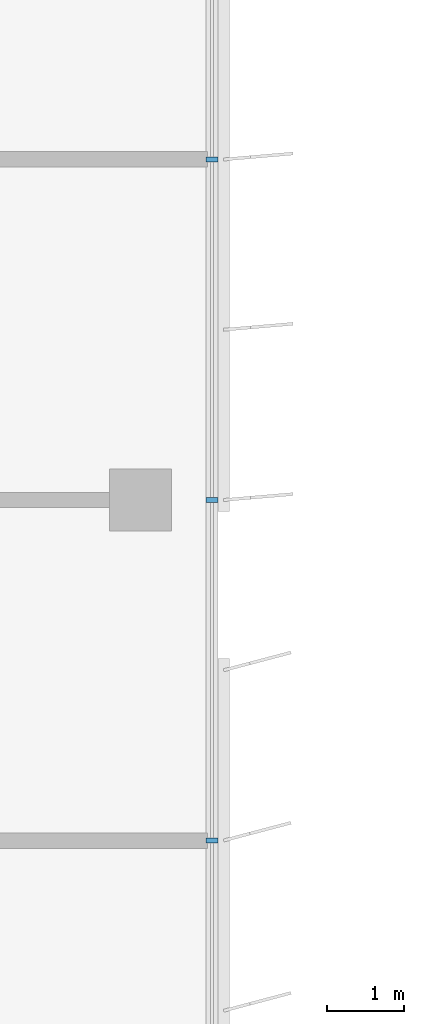
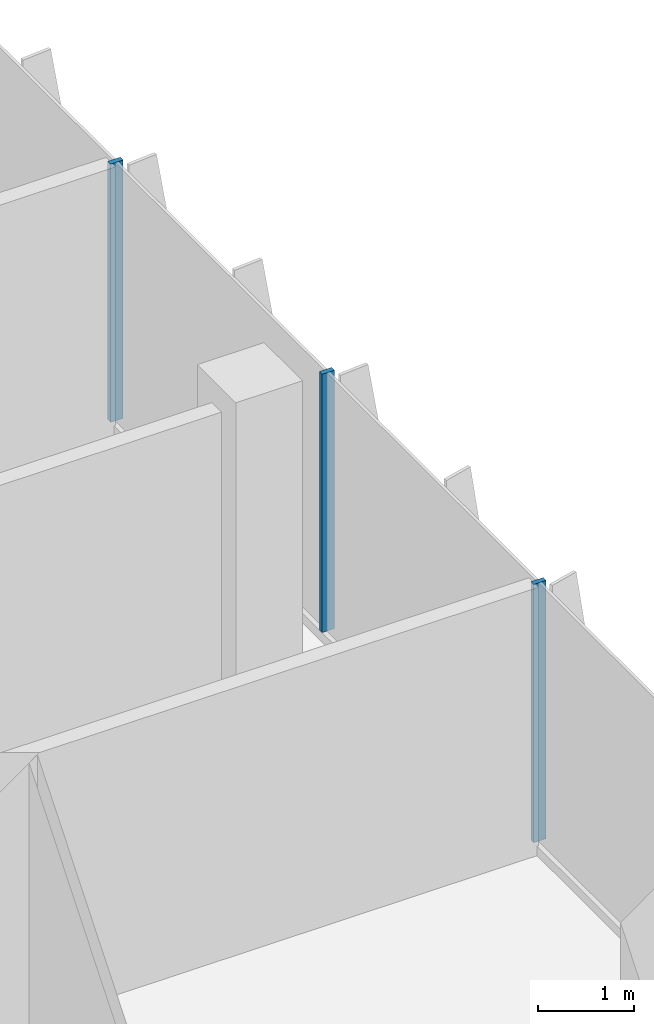
# One storey, part 4 of 16: 3 members, 1 element without a shape of its own.
"""IFC4 building model written with IfcOpenShell, lengths in metres."""

from ifc_helpers import new_model, si_unit, direction, frame, origin, origin_2d, place, context, subcontext, project, spatial, rectangle, extrude, source, transform, mapped, material, material_profile, profile_set, type_object, element, aggregate, save


model = new_model("IFC4")

# Units and contexts
model_context = context("Model", 3, precision=1e-05, world=origin(), true_north=direction((0.0, 1.0)))
body_context = subcontext(model_context, "Body", "Model", "MODEL_VIEW")
ifc_project = project(units=[si_unit("LENGTHUNIT", "METRE"), si_unit("AREAUNIT", "SQUARE_METRE"), si_unit("VOLUMEUNIT", "CUBIC_METRE"), si_unit("PLANEANGLEUNIT", "RADIAN"), si_unit("MASSUNIT", "GRAM", prefix="KILO")], contexts=[model_context])

# Site, building, storey
site_placement = place(None, origin())
site = spatial("IfcSite", under=ifc_project, at=site_placement, CompositionType="ELEMENT")
building_placement = place(site_placement, origin())
building = spatial("IfcBuilding", under=site, at=building_placement, Name="Kemantara Hotel Tower", CompositionType="ELEMENT")
storey_placement = place(building_placement, frame((0.0, 0.0, 272.199951171875)))
storey = spatial("IfcBuildingStorey", under=building, at=storey_placement, Name="L68", CompositionType="ELEMENT", Elevation=272.199951171875)

# Curtain wall, members
ifc_material_1 = material(Name="Low-E tinted double insulated glass 36 mm", Category="glass")
curtain_wall_type = type_object("IfcCurtainWallType", Name="TOWER CURTAIN WALL, FRONT FACES", PredefinedType="USERDEFINED", material=ifc_material_1)
curtain_wall_placement = place(storey_placement, origin())
curtain_wall = element("IfcCurtainWall", 1, at=curtain_wall_placement, inside=storey, type_object=curtain_wall_type, Name="CW4 L68 T4-R15-1", ObjectType="TOWER CURTAIN WALL, FRONT FACES", PredefinedType="USERDEFINED")
ifc_material_2 = material(Name="Aluminium 6063-T6 bronze anodised", Category="aluminium")
ifc_material_profile = material_profile(ifc_material_2, rectangle(XDim=0.14990234375, YDim=0.06005859375, at=origin_2d()), Name="TOWER CURTAIN WALL, FRONT FACES MULLION")
ifc_profile_set = profile_set([ifc_material_profile], Name="Aluminium 6063-T6 bronze anodised")
member_type = type_object("IfcMemberType", Name="TOWER CURTAIN WALL, FRONT FACES MULLION", PredefinedType="MULLION", material=ifc_profile_set)
shared_shape = source(origin(), body_context, "Body", "SweptSolid", [
    extrude(rectangle(XDim=0.14990234375, YDim=0.06005859375, at=origin_2d()), origin(), (0.0, 0.0, 1.0), 3.280029296875),
])
member_1_placement = place(storey_placement, frame((21.925048828125, 31.800048828125, 0.1201171875), z_axis=(0.0, 0.0, 1.0), x_axis=(-1.0, 0.0, 0.0)))
member_1 = element("IfcMember", 2, at=member_1_placement, type_object=member_type, Name="CW4 mullion T4-R15-1.3", PredefinedType="MULLION", context=body_context, shape_type="MappedRepresentation", body=[
    mapped(shared_shape, transform((0.0, 0.0, 0.0))),
])
member_2_placement = place(storey_placement, frame((21.925048828125, 36.199951171875, 0.1201171875), z_axis=(0.0, 0.0, 1.0), x_axis=(-1.0, 0.0, 0.0)))
member_2 = element("IfcMember", 3, at=member_2_placement, type_object=member_type, Name="CW4 mullion T4-R15-1.4", PredefinedType="MULLION", context=body_context, shape_type="MappedRepresentation", body=[
    mapped(shared_shape, transform((0.0, 0.0, 0.0))),
])
member_3_placement = place(storey_placement, frame((21.925048828125, 40.60009765625, 0.1201171875), z_axis=(0.0, 0.0, 1.0), x_axis=(-1.0, 0.0, 0.0)))
member_3 = element("IfcMember", 4, at=member_3_placement, type_object=member_type, Name="CW4 mullion T4-R15-1.5", PredefinedType="MULLION", context=body_context, shape_type="MappedRepresentation", body=[
    mapped(shared_shape, transform((0.0, 0.0, 0.0))),
])
aggregate(curtain_wall, [member_1, member_2, member_3])

save(model, "model.ifc")
